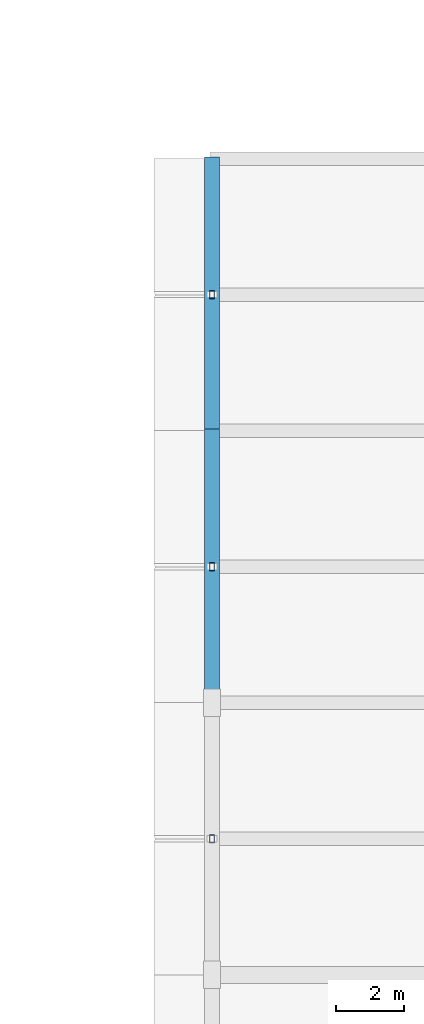
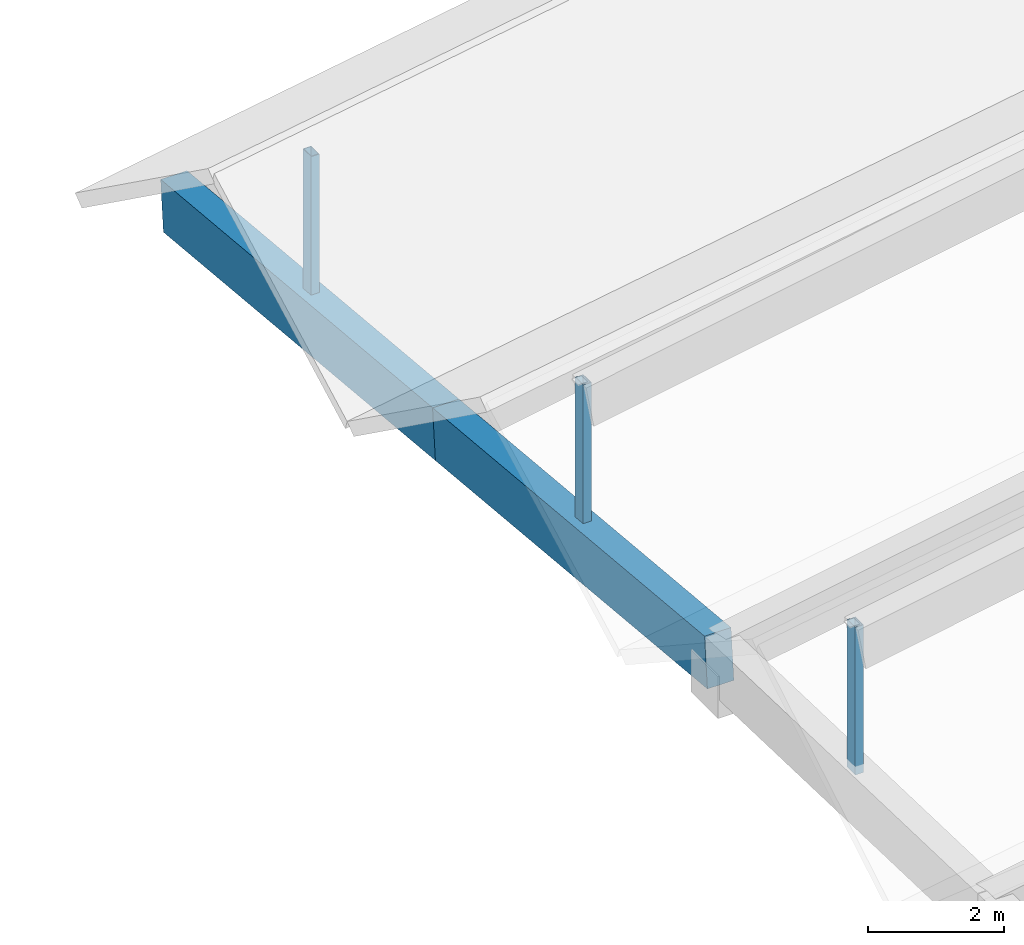
# One storey, part 32 of 109: 3 members, 2 beams.
"""IFC4 building model written with IfcOpenShell, lengths in metres."""

from ifc_helpers import new_model, si_unit, direction, frame, origin, origin_2d, place, context, subcontext, project, spatial, rectangle, hollow_rectangle, extrude, material, material_profile, profile_set, type_object, element, save


model = new_model("IFC4")

# Units and contexts
model_context = context("Model", 3, precision=1e-05, world=origin(), true_north=direction((0.0, 1.0)))
body_context = subcontext(model_context, "Body", "Model", "MODEL_VIEW")
ifc_project = project(units=[si_unit("LENGTHUNIT", "METRE"), si_unit("AREAUNIT", "SQUARE_METRE"), si_unit("VOLUMEUNIT", "CUBIC_METRE"), si_unit("PLANEANGLEUNIT", "RADIAN"), si_unit("MASSUNIT", "GRAM", prefix="KILO")], contexts=[model_context])

# Site, building, storey
site_placement = place(None, origin())
site = spatial("IfcSite", under=ifc_project, at=site_placement, CompositionType="ELEMENT")
building_placement = place(site_placement, origin())
building = spatial("IfcBuilding", under=site, at=building_placement, Name="Zavelmont Quarter", CompositionType="ELEMENT")
storey_placement = place(building_placement, frame((0.0, 0.0, 8.0)))
storey = spatial("IfcBuildingStorey", under=building, at=storey_placement, Name="L02", CompositionType="ELEMENT", Elevation=8.0)

# Beams
ifc_material_1 = material(Name="Concrete C40/50", Category="concrete")
ifc_material_profile_1 = material_profile(ifc_material_1, rectangle(XDim=0.449951171875, YDim=0.89990234375, at=origin_2d()), Name="RC450X900")
ifc_profile_set_1 = profile_set([ifc_material_profile_1], Name="Concrete C40/50")
beam_type = type_object("IfcBeamType", Name="BM06", PredefinedType="BEAM", material=ifc_profile_set_1)
for number, where, z_axis, x_axis, name in (
    (1, (55.199951171875, 70.0, 0.7548828125), (0.0, 0.995634226059, -0.093340708693), (-1.0, 0.0, 0.0), "L02 beam BM06 9/L to 9/M"),
    (2, (55.199951171875, 78.0, 0.0048828125), (0.0, 0.995634226059, -0.093340708693), (-1.0, 0.0, 0.0), "L02 beam BM06 9/M to 9/N"),
):
    element("IfcBeam", number, at=place(storey_placement, frame(where, z_axis=z_axis, x_axis=x_axis)), inside=storey, type_object=beam_type, Name=name, PredefinedType="BEAM", context=body_context, shape_type="SweptSolid", body=[
        extrude(rectangle(XDim=0.449951171875, YDim=0.89990234375, at=origin_2d()), origin(), (0.0, 0.0, 1.0), 8.03515625),
    ])

# Members
ifc_material_2 = material(Name="Steel S355", Category="steel")
ifc_material_profile_2 = material_profile(ifc_material_2, hollow_rectangle(XDim=0.139892578125, YDim=0.239990234375, WallThickness=0.010009765625, at=origin_2d()), Name="RHS 240X140X10")
ifc_profile_set_2 = profile_set([ifc_material_profile_2], Name="Steel S355")
member_type = type_object("IfcMemberType", Name="CLM1", PredefinedType="CHORD", material=ifc_profile_set_2)
for number, where, z_axis, x_axis, name in (
    (3, (55.199951171875, 66.0, 1.179931640625), (0.0, 0.0, 1.0), (1.0, 0.0, 0.0), "L02 member CLM1 9/K to 9/K"),
    (4, (55.199951171875, 74.0, 0.679931640625), (0.0, 0.0, 1.0), (1.0, 0.0, 0.0), "L02 member CLM1 9/L to 9/L"),
    (5, (55.199951171875, 82.0, -0.070068359375), (0.0, 0.0, 1.0), (1.0, 0.0, 0.0), "L02 member CLM1 9/M to 9/M"),
):
    element("IfcMember", number, at=place(storey_placement, frame(where, z_axis=z_axis, x_axis=x_axis)), inside=storey, type_object=member_type, Name=name, PredefinedType="CHORD", context=body_context, shape_type="SweptSolid", body=[
        extrude(hollow_rectangle(XDim=0.139892578125, YDim=0.239990234375, WallThickness=0.010009765625, at=origin_2d()), origin(), (0.0, 0.0, 1.0), 2.650146484375),
    ])

save(model, "model.ifc")
